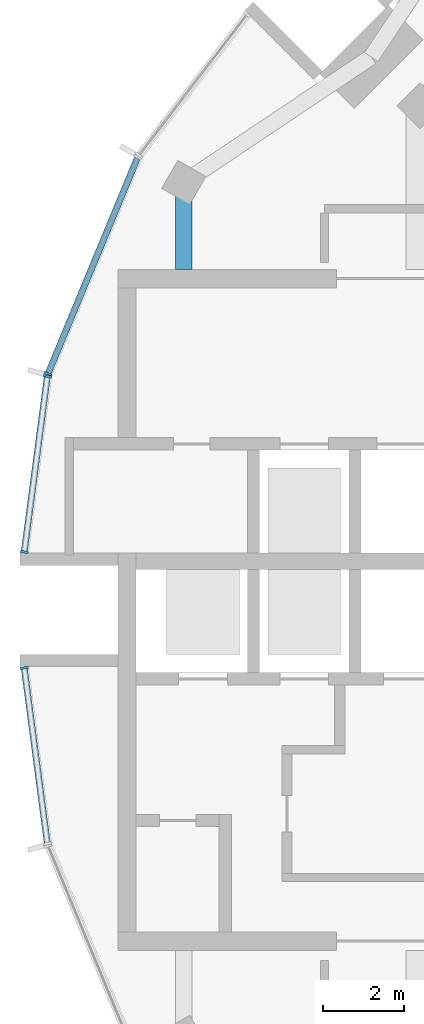
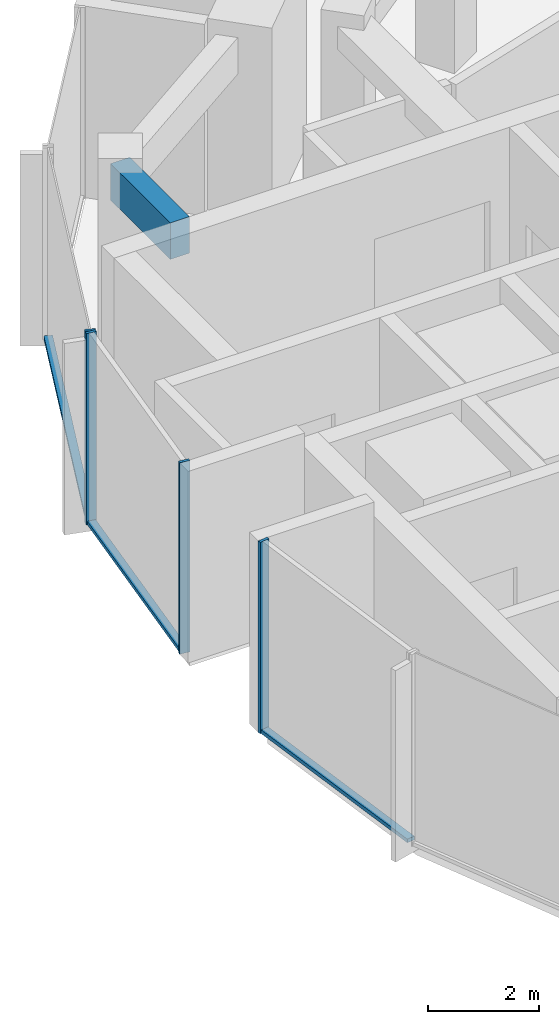
# One storey, part 3 of 13: 7 members, 1 beam, 3 elements without a shape of their own.
"""IFC4 building model written with IfcOpenShell, lengths in metres."""

from ifc_helpers import new_model, si_unit, direction, frame, origin, origin_2d, place, context, subcontext, project, spatial, rectangle, extrude, material, layer, layer_set, material_profile, profile_set, type_object, element, aggregate, save


model = new_model("IFC4")

# Units and contexts
model_context = context("Model", 3, precision=1e-05, world=origin(), true_north=direction((0.0, 1.0)))
body_context = subcontext(model_context, "Body", "Model", "MODEL_VIEW")
ifc_project = project(units=[si_unit("LENGTHUNIT", "METRE"), si_unit("AREAUNIT", "SQUARE_METRE"), si_unit("VOLUMEUNIT", "CUBIC_METRE"), si_unit("PLANEANGLEUNIT", "RADIAN"), si_unit("MASSUNIT", "GRAM", prefix="KILO")], contexts=[model_context])

# Site, building, storey
site_placement = place(None, origin())
site = spatial("IfcSite", under=ifc_project, at=site_placement, CompositionType="ELEMENT")
building_placement = place(site_placement, origin())
building = spatial("IfcBuilding", under=site, at=building_placement, Name="Torre Brocal", CompositionType="ELEMENT")
storey_placement = place(building_placement, frame((0.0, 0.0, 296.699951171875)))
storey = spatial("IfcBuildingStorey", under=building, at=storey_placement, Name="L68", CompositionType="ELEMENT", Elevation=296.699951171875)

# Curtain wall, members
ifc_material_1 = material(Name="Aluminium and glass", Category="aluminium")
ifc_layer_1 = layer(ifc_material_1, 0.199951171875)
ifc_layer_set_1 = layer_set([ifc_layer_1], Name="Aluminium and glass")
curtain_wall_type_1 = type_object("IfcCurtainWallType", Name="CW-1 CURTAIN WALL 4200 HIGH", PredefinedType="NOTDEFINED", material=ifc_layer_set_1)
curtain_wall_1_placement = place(storey_placement, origin())
curtain_wall_1 = element("IfcCurtainWall", 1, at=curtain_wall_1_placement, inside=storey, type_object=curtain_wall_type_1, Name="CW-1 RUN 11", PredefinedType="NOTDEFINED")
ifc_material_2 = material(Name="Aluminium, dark anodised", Category="aluminium")
ifc_material_profile_1 = material_profile(ifc_material_2, rectangle(XDim=0.199951171875, YDim=0.06005859375, at=origin_2d()), Name="CW-1 MULLION 60X200")
ifc_profile_set_1 = profile_set([ifc_material_profile_1], Name="Aluminium, dark anodised")
member_type_1 = type_object("IfcMemberType", Name="CW-1 MULLION 60X200", PredefinedType="MULLION", material=ifc_profile_set_1)
member_1_placement = place(storey_placement, frame((58.37548828125, 80.824951171875, 0.0), z_axis=(0.0, 0.0, 1.0), x_axis=(0.923879532545, -0.382683432284, 0.0)))
member_1 = element("IfcMember", 2, at=member_1_placement, type_object=member_type_1, Name="CW1-5 mullion 2", PredefinedType="MULLION", context=body_context, shape_type="SweptSolid", body=[
    extrude(rectangle(XDim=0.199951171875, YDim=0.06005859375, at=origin_2d()), origin(), (0.0, 0.0, 1.0), 4.199951171875),
])
ifc_material_3 = material(Name="Aluminium, dark anodised", Category="aluminium")
ifc_material_profile_2 = material_profile(ifc_material_3, rectangle(XDim=0.159912109375, YDim=0.080078125, at=origin_2d()), Name="CW-1 TRANSOM 160X80")
ifc_profile_set_2 = profile_set([ifc_material_profile_2], Name="Aluminium, dark anodised")
member_type_2 = type_object("IfcMemberType", Name="CW-1 TRANSOM 160X80", PredefinedType="USERDEFINED", material=ifc_profile_set_2)
member_2_placement = place(storey_placement, frame((60.578857421875, 86.14404296875, 0.0400390625), z_axis=(-0.382710701355, -0.923868236854, 0.0), x_axis=(0.923868236854, -0.382710701355, 0.0)))
member_2 = element("IfcMember", 3, at=member_2_placement, type_object=member_type_2, Name="CW1-5 transom 1.1", ObjectType="TRANSOM", PredefinedType="USERDEFINED", context=body_context, shape_type="SweptSolid", body=[
    extrude(rectangle(XDim=0.159912109375, YDim=0.080078125, at=origin_2d()), origin(), (0.0, 0.0, 1.0), 5.727294921875),
])
aggregate(curtain_wall_1, [member_1, member_2])

ifc_material_4 = material(Name="Aluminium and glass", Category="aluminium")
ifc_layer_2 = layer(ifc_material_4, 0.199951171875)
ifc_layer_set_2 = layer_set([ifc_layer_2], Name="Aluminium and glass")
curtain_wall_type_2 = type_object("IfcCurtainWallType", Name="CW-1B CURTAIN WALL 4200 HIGH", PredefinedType="NOTDEFINED", material=ifc_layer_set_2)
curtain_wall_2_placement = place(storey_placement, origin())
curtain_wall_2 = element("IfcCurtainWall", 4, at=curtain_wall_2_placement, inside=storey, type_object=curtain_wall_type_2, Name="CW-1B RUN 12", PredefinedType="NOTDEFINED")
ifc_material_5 = material(Name="Aluminium, dark anodised", Category="aluminium")
ifc_material_profile_3 = material_profile(ifc_material_5, rectangle(XDim=0.199951171875, YDim=0.06005859375, at=origin_2d()), Name="CW-1B MULLION 60X200")
ifc_profile_set_3 = profile_set([ifc_material_profile_3], Name="Aluminium, dark anodised")
member_type_3 = type_object("IfcMemberType", Name="CW-1B MULLION 60X200", PredefinedType="MULLION", material=ifc_profile_set_3)
member_3_placement = place(storey_placement, frame((58.360107421875, 80.767578125, 0.0), z_axis=(0.0, 0.0, 1.0), x_axis=(0.991444861374, -0.13052619222, 0.0)))
member_3 = element("IfcMember", 5, at=member_3_placement, type_object=member_type_3, Name="CW1B-5 mullion 1", PredefinedType="MULLION", context=body_context, shape_type="SweptSolid", body=[
    extrude(rectangle(XDim=0.199951171875, YDim=0.06005859375, at=origin_2d()), origin(), (0.0, 0.0, 1.0), 4.199951171875),
])
member_4_placement = place(storey_placement, frame((57.7890625, 76.4296875, 0.0), z_axis=(0.0, 0.0, 1.0), x_axis=(0.991444861374, -0.13052619222, 0.0)))
member_4 = element("IfcMember", 6, at=member_4_placement, type_object=member_type_3, Name="CW1B-5 mullion 2", PredefinedType="MULLION", context=body_context, shape_type="SweptSolid", body=[
    extrude(rectangle(XDim=0.199951171875, YDim=0.06005859375, at=origin_2d()), origin(), (0.0, 0.0, 1.0), 4.199951171875),
])

# Curtain wall, member
curtain_wall_3_placement = place(storey_placement, origin())
curtain_wall_3 = element("IfcCurtainWall", 7, at=curtain_wall_3_placement, inside=storey, type_object=curtain_wall_type_2, Name="CW-1B RUN 13", PredefinedType="NOTDEFINED")
member_5_placement = place(storey_placement, frame((57.7890625, 73.5703125, 0.0), z_axis=(0.0, 0.0, 1.0), x_axis=(0.991444861374, 0.13052619222, 0.0)))
member_5 = element("IfcMember", 8, at=member_5_placement, type_object=member_type_3, Name="CW1B-5 mullion 1", PredefinedType="MULLION", context=body_context, shape_type="SweptSolid", body=[
    extrude(rectangle(XDim=0.199951171875, YDim=0.06005859375, at=origin_2d()), origin(), (0.0, 0.0, 1.0), 4.199951171875),
])

# Member
ifc_material_6 = material(Name="Aluminium, dark anodised", Category="aluminium")
ifc_material_profile_4 = material_profile(ifc_material_6, rectangle(XDim=0.159912109375, YDim=0.080078125, at=origin_2d()), Name="CW-1B TRANSOM 160X80")
ifc_profile_set_4 = profile_set([ifc_material_profile_4], Name="Aluminium, dark anodised")
member_type_4 = type_object("IfcMemberType", Name="CW-1B TRANSOM 160X80", PredefinedType="USERDEFINED", material=ifc_profile_set_4)
member_6_placement = place(storey_placement, frame((58.356201171875, 80.73779296875, 0.0400390625), z_axis=(-0.130521833991, -0.991445435136, 0.0), x_axis=(0.991445435136, -0.130521833991, 0.0)))
member_6 = element("IfcMember", 9, at=member_6_placement, type_object=member_type_4, Name="CW1B-5 transom 1.1", ObjectType="TRANSOM", PredefinedType="USERDEFINED", context=body_context, shape_type="SweptSolid", body=[
    extrude(rectangle(XDim=0.159912109375, YDim=0.080078125, at=origin_2d()), origin(), (0.0, 0.0, 1.0), 4.315185546875),
])

aggregate(curtain_wall_2, [member_3, member_4, member_6])

member_7_placement = place(storey_placement, frame((57.79296875, 73.54052734375, 0.0400390625), z_axis=(0.130521833991, -0.991445435136, 0.0), x_axis=(0.991445435136, 0.130521833991, 0.0)))
member_7 = element("IfcMember", 10, at=member_7_placement, type_object=member_type_4, Name="CW1B-5 transom 1.1", ObjectType="TRANSOM", PredefinedType="USERDEFINED", context=body_context, shape_type="SweptSolid", body=[
    extrude(rectangle(XDim=0.159912109375, YDim=0.080078125, at=origin_2d()), origin(), (0.0, 0.0, 1.0), 4.315185546875),
])

aggregate(curtain_wall_3, [member_5, member_7])

# Beam
ifc_material_7 = material(Name="Concrete C50", Category="concrete")
ifc_material_profile_5 = material_profile(ifc_material_7, rectangle(XDim=0.39990234375, YDim=0.800048828125, at=origin_2d()), Name="RC 400X800")
ifc_profile_set_5 = profile_set([ifc_material_profile_5], Name="Concrete C50")
beam_type = type_object("IfcBeamType", Name="RC SPANDREL BEAM 400X800 C50 TOP 3880", PredefinedType="SPANDREL", material=ifc_profile_set_5)
beam_placement = place(storey_placement, frame((61.726806640625, 85.550048828125, 3.47998046875), z_axis=(0.0, -1.0, 0.0), x_axis=(1.0, 0.0, 0.0)))
element("IfcBeam", 11, at=beam_placement, inside=storey, type_object=beam_type, Name="Beam BT-47", PredefinedType="SPANDREL", context=body_context, shape_type="SweptSolid", body=[
    extrude(rectangle(XDim=0.39990234375, YDim=0.800048828125, at=origin_2d()), origin(), (0.0, 0.0, 1.0), 2.150146484375),
])

save(model, "model.ifc")
